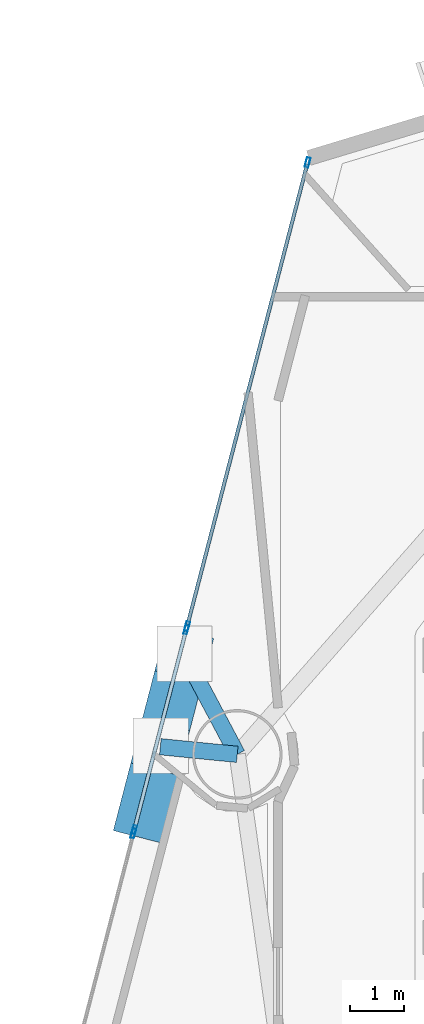
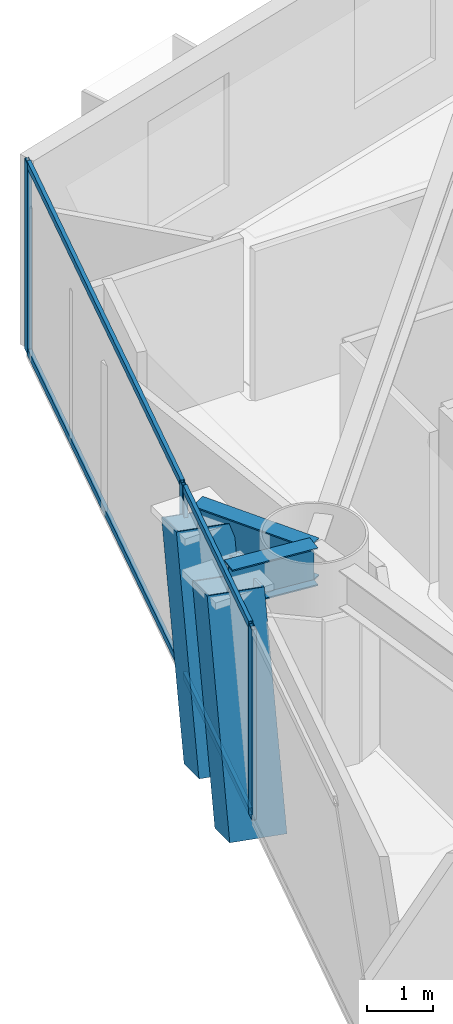
# One storey, part 7 of 23: 11 members, 2 beams, 3 elements without a shape of their own.
"""IFC4 building model written with IfcOpenShell, lengths in metres."""

from ifc_helpers import new_model, si_unit, direction, frame, origin, origin_2d, place, context, subcontext, project, spatial, hollow_rectangle, i_section, extrude, material, layer, layer_set, material_profile, profile_set, type_object, element, aggregate, save


model = new_model("IFC4")

# Units and contexts
model_context = context("Model", 3, precision=1e-05, world=origin(), true_north=direction((0.0, 1.0)))
body_context = subcontext(model_context, "Body", "Model", "MODEL_VIEW")
ifc_project = project(units=[si_unit("LENGTHUNIT", "METRE"), si_unit("AREAUNIT", "SQUARE_METRE"), si_unit("VOLUMEUNIT", "CUBIC_METRE"), si_unit("PLANEANGLEUNIT", "RADIAN"), si_unit("MASSUNIT", "GRAM", prefix="KILO")], contexts=[model_context])

# Site, building, storey
site_placement = place(None, origin())
site = spatial("IfcSite", under=ifc_project, at=site_placement, CompositionType="ELEMENT")
building_placement = place(site_placement, origin())
building = spatial("IfcBuilding", under=site, at=building_placement, Name="Qianvela Tower", CompositionType="ELEMENT")
storey_placement = place(building_placement, frame((0.0, 0.0, 82.10009765625)))
storey = spatial("IfcBuildingStorey", under=building, at=storey_placement, Name="L20", CompositionType="ELEMENT", Elevation=82.10009765625)

# Beams
ifc_material_1 = material(Name="Steel Q355B", Category="steel")
ifc_material_profile_1 = material_profile(ifc_material_1, i_section(OverallWidth=0.300048828125, OverallDepth=0.699951171875, WebThickness=0.012939453125, FlangeThickness=0.02392578125, at=origin_2d()), Name="HN700x300x13x24")
ifc_profile_set_1 = profile_set([ifc_material_profile_1], Name="Steel Q355B")
beam_type = type_object("IfcBeamType", Name="BM-HN700-SPAND", PredefinedType="SPANDREL", material=ifc_profile_set_1)
beam_1_placement = place(storey_placement, frame((22.8291015625, 30.340087890625, 3.16796875), z_axis=(-0.469461182822, 0.882953111905, 0.0), x_axis=(-0.882953111905, -0.469461182822, 0.0)))
element("IfcBeam", 1, at=beam_1_placement, inside=storey, type_object=beam_type, Name="L20 Mega-Brace Column Tie Bracket F2-1", PredefinedType="SPANDREL", context=body_context, shape_type="SweptSolid", body=[
    extrude(i_section(OverallWidth=0.300048828125, OverallDepth=0.699951171875, WebThickness=0.012939453125, FlangeThickness=0.02392578125, at=origin_2d()), origin(), (0.0, 0.0, 1.0), 2.080810546875),
])
beam_2_placement = place(storey_placement, frame((22.8291015625, 30.340087890625, 3.16796875), z_axis=(-0.995098092661, 0.098892800459, 0.0), x_axis=(-0.098892800459, -0.995098092661, 0.0)))
element("IfcBeam", 2, at=beam_2_placement, inside=storey, type_object=beam_type, Name="L20 Mega-Brace Column Tie Bracket F2-2", PredefinedType="SPANDREL", context=body_context, shape_type="SweptSolid", body=[
    extrude(i_section(OverallWidth=0.300048828125, OverallDepth=0.699951171875, WebThickness=0.012939453125, FlangeThickness=0.02392578125, at=origin_2d()), origin(), (0.0, 0.0, 1.0), 1.424560546875),
])

# Curtain wall, members
ifc_material_2 = material(Name="Anodised Architectural Aluminium and Insulated Spandrel Panel", Category="aluminium")
ifc_layer_1 = layer(ifc_material_2, 0.179931640625)
ifc_layer_set_1 = layer_set([ifc_layer_1], Name="Anodised Architectural Aluminium and Insulated Spandrel Panel")
curtain_wall_type_1 = type_object("IfcCurtainWallType", Name="CW-BRACEBAY", PredefinedType="USERDEFINED", material=ifc_layer_set_1)
curtain_wall_1_placement = place(storey_placement, origin())
curtain_wall_1 = element("IfcCurtainWall", 3, at=curtain_wall_1_placement, inside=storey, type_object=curtain_wall_type_1, Name="L20 CW-BRACEBAY Curtain Wall 04B", ObjectType="CURTAIN_WALL_SYSTEM", PredefinedType="USERDEFINED")
ifc_material_3 = material(Name="Anodised Architectural Aluminium 6063-T6", Category="aluminium")
ifc_material_profile_2 = material_profile(ifc_material_3, hollow_rectangle(XDim=0.06494140625, YDim=0.159912109375, WallThickness=0.0048828125, at=origin_2d()), Name="ALU-MULL-65x160")
ifc_profile_set_2 = profile_set([ifc_material_profile_2], Name="Anodised Architectural Aluminium 6063-T6")
member_type_1 = type_object("IfcMemberType", Name="CW-BRACEBAY-MULL", PredefinedType="MULLION", material=ifc_profile_set_2)
member_1_placement = place(storey_placement, frame((21.888427734375, 32.634765625, 0.0), z_axis=(0.0, 0.0, 1.0), x_axis=(0.967884274505, -0.251396163786, 0.0)))
member_1 = element("IfcMember", 4, at=member_1_placement, type_object=member_type_1, Name="CW-9 mullion 1", PredefinedType="MULLION", context=body_context, shape_type="SweptSolid", body=[
    extrude(hollow_rectangle(XDim=0.06494140625, YDim=0.159912109375, WallThickness=0.0048828125, at=origin_2d()), origin(), (0.0, 0.0, 1.0), 3.52001953125),
])
member_2_placement = place(storey_placement, frame((20.931884765625, 28.951904296875, 0.0), z_axis=(0.0, 0.0, 1.0), x_axis=(0.967884274505, -0.251396163786, 0.0)))
member_2 = element("IfcMember", 5, at=member_2_placement, type_object=member_type_1, Name="CW-9 mullion 2", PredefinedType="MULLION", context=body_context, shape_type="SweptSolid", body=[
    extrude(hollow_rectangle(XDim=0.06494140625, YDim=0.159912109375, WallThickness=0.0048828125, at=origin_2d()), origin(), (0.0, 0.0, 1.0), 3.52001953125),
])
ifc_material_4 = material(Name="Anodised Architectural Aluminium 6063-T6", Category="aluminium")
ifc_material_profile_3 = material_profile(ifc_material_4, hollow_rectangle(XDim=0.06494140625, YDim=0.1298828125, WallThickness=0.00439453125, at=origin_2d()), Name="ALU-TRAN-65x130")
ifc_profile_set_3 = profile_set([ifc_material_profile_3], Name="Anodised Architectural Aluminium 6063-T6")
member_type_2 = type_object("IfcMemberType", Name="CW-BRACEBAY-TRAN", PredefinedType="USERDEFINED", material=ifc_profile_set_3)
member_3_placement = place(storey_placement, frame((21.880126953125, 32.603271484375, 0.032470703125), z_axis=(-0.251388039856, -0.96788638456, 0.0), x_axis=(0.96788638456, -0.251388039856, 0.0)))
member_3 = element("IfcMember", 6, at=member_3_placement, type_object=member_type_2, Name="CW-9 transom 1.1", ObjectType="TRANSOM", PredefinedType="USERDEFINED", context=body_context, shape_type="SweptSolid", body=[
    extrude(hollow_rectangle(XDim=0.06494140625, YDim=0.1298828125, WallThickness=0.00439453125, at=origin_2d()), origin(), (0.0, 0.0, 1.0), 3.739990234375),
])
member_4_placement = place(storey_placement, frame((21.880126953125, 32.603271484375, 3.4873046875), z_axis=(-0.251388039856, -0.96788638456, 0.0), x_axis=(0.96788638456, -0.251388039856, 0.0)))
member_4 = element("IfcMember", 7, at=member_4_placement, type_object=member_type_2, Name="CW-9 transom 1.2", ObjectType="TRANSOM", PredefinedType="USERDEFINED", context=body_context, shape_type="SweptSolid", body=[
    extrude(hollow_rectangle(XDim=0.06494140625, YDim=0.1298828125, WallThickness=0.00439453125, at=origin_2d()), origin(), (0.0, 0.0, 1.0), 3.739990234375),
])
aggregate(curtain_wall_1, [member_1, member_2, member_3, member_4])

ifc_material_5 = material(Name="Anodised Architectural Aluminium and Low-E Glass", Category="aluminium")
ifc_layer_2 = layer(ifc_material_5, 0.179931640625)
ifc_layer_set_2 = layer_set([ifc_layer_2], Name="Anodised Architectural Aluminium and Low-E Glass")
curtain_wall_type_2 = type_object("IfcCurtainWallType", Name="CW-COLIV-Z12", PredefinedType="USERDEFINED", material=ifc_layer_set_2)
curtain_wall_2_placement = place(storey_placement, origin())
curtain_wall_2 = element("IfcCurtainWall", 8, at=curtain_wall_2_placement, inside=storey, type_object=curtain_wall_type_2, Name="L20 CW-COLIV-Z12 Curtain Wall 04A", ObjectType="CURTAIN_WALL_SYSTEM", PredefinedType="USERDEFINED")
ifc_material_6 = material(Name="Anodised Architectural Aluminium 6063-T6", Category="aluminium")
ifc_material_profile_4 = material_profile(ifc_material_6, hollow_rectangle(XDim=0.070068359375, YDim=0.179931640625, WallThickness=0.0048828125, at=origin_2d()), Name="ALU-MULL-70x180")
ifc_profile_set_4 = profile_set([ifc_material_profile_4], Name="Anodised Architectural Aluminium 6063-T6")
member_type_3 = type_object("IfcMemberType", Name="CW-COLIV-Z12-MULL", PredefinedType="MULLION", material=ifc_profile_set_4)
member_5_placement = place(storey_placement, frame((24.125, 41.246337890625, 0.0), z_axis=(0.0, 0.0, 1.0), x_axis=(0.967885194163, -0.251392623043, 0.0)))
member_5 = element("IfcMember", 9, at=member_5_placement, type_object=member_type_3, Name="CW-3 mullion 1", PredefinedType="MULLION", context=body_context, shape_type="SweptSolid", body=[
    extrude(hollow_rectangle(XDim=0.070068359375, YDim=0.179931640625, WallThickness=0.0048828125, at=origin_2d()), origin(), (0.0, 0.0, 1.0), 3.52001953125),
])
member_6_placement = place(storey_placement, frame((21.9052734375, 32.699951171875, 0.0), z_axis=(0.0, 0.0, 1.0), x_axis=(0.967885194163, -0.251392623043, 0.0)))
member_6 = element("IfcMember", 10, at=member_6_placement, type_object=member_type_3, Name="CW-3 mullion 2", PredefinedType="MULLION", context=body_context, shape_type="SweptSolid", body=[
    extrude(hollow_rectangle(XDim=0.070068359375, YDim=0.179931640625, WallThickness=0.0048828125, at=origin_2d()), origin(), (0.0, 0.0, 1.0), 3.52001953125),
])

# Curtain wall, member
curtain_wall_3_placement = place(storey_placement, origin())
curtain_wall_3 = element("IfcCurtainWall", 11, at=curtain_wall_3_placement, inside=storey, type_object=curtain_wall_type_2, Name="L20 CW-COLIV-Z12 Curtain Wall 04C", ObjectType="CURTAIN_WALL_SYSTEM", PredefinedType="USERDEFINED")
member_7_placement = place(storey_placement, frame((20.914794921875, 28.886474609375, 0.0), z_axis=(0.0, 0.0, 1.0), x_axis=(0.967886396599, -0.251387993505, 0.0)))
member_7 = element("IfcMember", 12, at=member_7_placement, type_object=member_type_3, Name="CW-3 mullion 1", PredefinedType="MULLION", context=body_context, shape_type="SweptSolid", body=[
    extrude(hollow_rectangle(XDim=0.070068359375, YDim=0.179931640625, WallThickness=0.0048828125, at=origin_2d()), origin(), (0.0, 0.0, 1.0), 3.52001953125),
])
aggregate(curtain_wall_3, [member_7])

# Member
ifc_material_7 = material(Name="Anodised Architectural Aluminium 6063-T6", Category="aluminium")
ifc_material_profile_5 = material_profile(ifc_material_7, hollow_rectangle(XDim=0.06494140625, YDim=0.1298828125, WallThickness=0.00439453125, at=origin_2d()), Name="ALU-TRAN-65x130")
ifc_profile_set_5 = profile_set([ifc_material_profile_5], Name="Anodised Architectural Aluminium 6063-T6")
member_type_4 = type_object("IfcMemberType", Name="CW-COLIV-Z12-TRAN", PredefinedType="USERDEFINED", material=ifc_profile_set_5)
member_8_placement = place(storey_placement, frame((24.1162109375, 41.212646484375, 0.032470703125), z_axis=(-0.25138480161, -0.967887225621, 0.0), x_axis=(0.967887225621, -0.25138480161, 0.0)))
member_8 = element("IfcMember", 13, at=member_8_placement, type_object=member_type_4, Name="CW-3 transom 1.1", ObjectType="TRANSOM", PredefinedType="USERDEFINED", context=body_context, shape_type="SweptSolid", body=[
    extrude(hollow_rectangle(XDim=0.06494140625, YDim=0.1298828125, WallThickness=0.00439453125, at=origin_2d()), origin(), (0.0, 0.0, 1.0), 8.760009765625),
])

member_9_placement = place(storey_placement, frame((24.1162109375, 41.212646484375, 3.4873046875), z_axis=(-0.25138480161, -0.967887225621, 0.0), x_axis=(0.967887225621, -0.25138480161, 0.0)))
member_9 = element("IfcMember", 14, at=member_9_placement, type_object=member_type_4, Name="CW-3 transom 1.2", ObjectType="TRANSOM", PredefinedType="USERDEFINED", context=body_context, shape_type="SweptSolid", body=[
    extrude(hollow_rectangle(XDim=0.06494140625, YDim=0.1298828125, WallThickness=0.00439453125, at=origin_2d()), origin(), (0.0, 0.0, 1.0), 8.760009765625),
])

aggregate(curtain_wall_2, [member_5, member_6, member_8, member_9])

# Members
ifc_material_8 = material(Name="Steel Q420GJC", Category="steel")
ifc_material_profile_6 = material_profile(ifc_material_8, hollow_rectangle(XDim=0.89990234375, YDim=0.89990234375, WallThickness=0.035888671875, at=origin_2d()), Name="MBOX-900x900x36")
ifc_profile_set_6 = profile_set([ifc_material_profile_6], Name="Steel Q420GJC")
member_type_5 = type_object("IfcMemberType", Name="MBR-MBRACE-900", PredefinedType="BRACE", material=ifc_profile_set_6)
for number, where, z_axis, x_axis, name in (
    (15, (21.5283203125, 30.930419921875, -0.531982421875), (0.082692947875, 0.318246333682, 0.944394593097), (-0.96786034232, 0.251488285541, 0.0), "L20 Tier 3 Exterior Mega-Brace F2A"),
    (16, (21.087890625, 29.234130859375, -0.531982421875), (0.082631057808, 0.318247973022, 0.944399457832), (-0.96790645758, 0.251310742657, 0.0), "L20 Tier 3 Exterior Mega-Brace F2B"),
):
    element("IfcMember", number, at=place(storey_placement, frame(where, z_axis=z_axis, x_axis=x_axis)), inside=storey, type_object=member_type_5, Name=name, PredefinedType="BRACE", context=body_context, shape_type="SweptSolid", body=[
        extrude(hollow_rectangle(XDim=0.89990234375, YDim=0.89990234375, WallThickness=0.035888671875, at=origin_2d()), origin(), (0.0, 0.0, 1.0), 3.917724609375),
    ])

save(model, "model.ifc")
